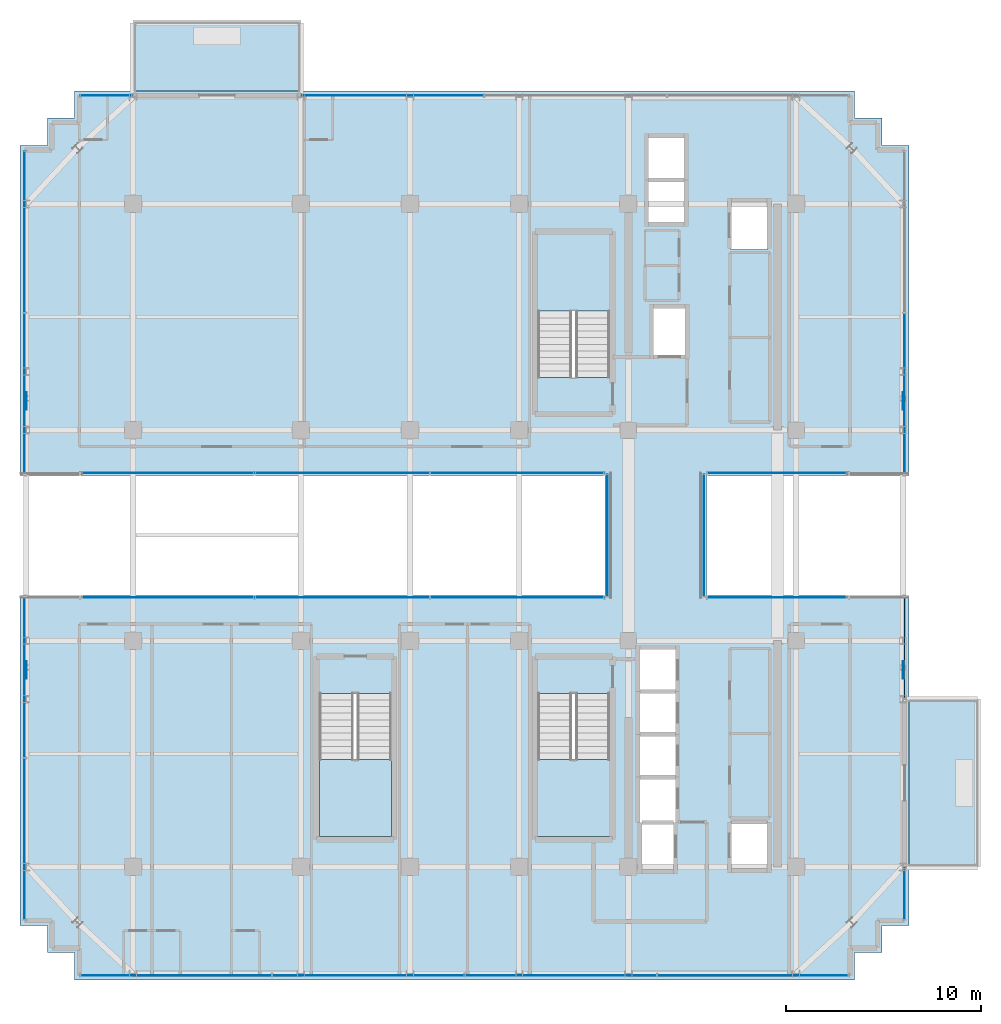
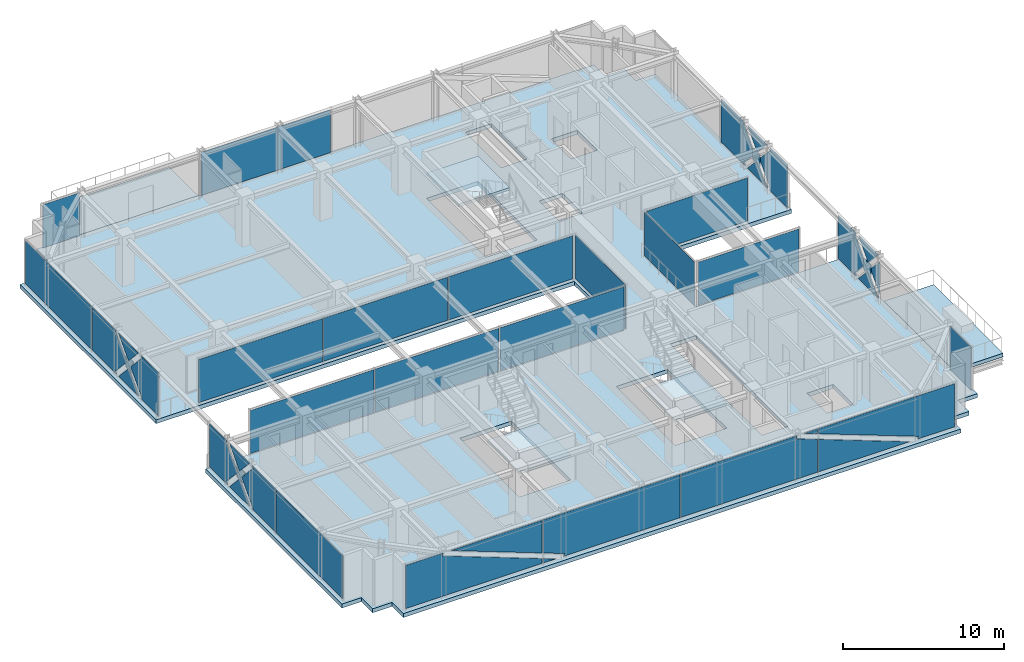
# One storey, part 31 of 39: 27 plates, 6 slabs, 17 elements without a shape of their own.
"""IFC4 building model written with IfcOpenShell, lengths in metres."""

import ifcopenshell
import ifcopenshell.guid

model = None  # the IFC model being written
_history = None  # IfcOwnerHistory: only IFC2X3 demands one
_inside = {}  # id of a spatial element -> (the spatial element, [elements in it])
_under = {}  # id of a project, library or spatial element -> (it, [spatial elements below it])
_declared = {}  # id of a project -> (the project, [libraries it declares])
_typed = {}  # id of a type object -> (the type object, [elements of that type])
_made_of = {}  # id of a material, layer set ... -> (it, [elements and type objects made of it])


def new_model(schema):
    """Start an empty IFC model of exactly this schema.

    Asked for "IFC4X3", IfcOpenShell would pick the latest addendum, in which some entities
    have other attributes; the version numbers below select the first issue.
    IFC2X3 requires an IfcOwnerHistory on every rooted entity: one is made here for all.
    """
    global model, _history
    if schema == "IFC4X3":
        model = ifcopenshell.file(schema_version=(4, 3, 0, 0))
    else:
        model = ifcopenshell.file(schema=schema)
    _inside.clear()
    _under.clear()
    _declared.clear()
    _typed.clear()
    _made_of.clear()
    _history = None
    if model.schema == "IFC2X3":
        org = make("IfcOrganization", Name="unknown")
        user = make(
            "IfcPersonAndOrganization",
            ThePerson=make("IfcPerson", FamilyName="unknown"),
            TheOrganization=org,
        )
        app = make(
            "IfcApplication",
            ApplicationDeveloper=org,
            Version="unknown",
            ApplicationFullName="unknown",
            ApplicationIdentifier="unknown",
        )
        _history = make(
            "IfcOwnerHistory",
            OwningUser=user,
            OwningApplication=app,
            ChangeAction="ADDED",
            CreationDate=0,
        )
    return model


def make(cls, **values):
    """One entity of the class cls with the attributes given. An attribute that is None is left unset."""
    return model.create_entity(
        cls, **{name: value for name, value in values.items() if value is not None}
    )


def rooted(cls, **values):
    """An entity with a GlobalId (a new one), such as an element, a storey or a relation."""
    return make(cls, GlobalId=ifcopenshell.guid.new(), OwnerHistory=_history, **values)


def si_unit(unit_type, name, prefix=None):
    """IfcSIUnit, for example si_unit("LENGTHUNIT", "METRE", prefix="MILLI")."""
    return make("IfcSIUnit", UnitType=unit_type, Prefix=prefix, Name=name)


def assignment(units):
    """IfcUnitAssignment: the units of a project."""
    return None if units is None else make("IfcUnitAssignment", Units=units)


def point(xyz):
    """IfcCartesianPoint."""
    return None if xyz is None else make("IfcCartesianPoint", Coordinates=xyz)


def direction(xyz):
    """IfcDirection."""
    return None if xyz is None else make("IfcDirection", DirectionRatios=xyz)


def frame(location, z_axis=None, x_axis=None):
    """IfcAxis2Placement3D, a coordinate frame: its origin and axes. An axis left out is left unset."""
    return make(
        "IfcAxis2Placement3D",
        Location=point(location),
        Axis=direction(z_axis),
        RefDirection=direction(x_axis),
    )


def frame_2d(location, x_axis=None):
    """IfcAxis2Placement2D, a coordinate frame in the plane: its origin and x axis."""
    return make(
        "IfcAxis2Placement2D", Location=point(location), RefDirection=direction(x_axis)
    )


def origin():
    """The frame at (0, 0, 0) with its axes left unset."""
    return frame((0.0, 0.0, 0.0))


def origin_2d():
    """The frame at (0, 0) in the plane with its x axis left unset."""
    return frame_2d((0.0, 0.0))


def place(relative_to, where):
    """IfcLocalPlacement: puts the frame where relative to a parent placement (None: the world)."""
    return make(
        "IfcLocalPlacement", PlacementRelTo=relative_to, RelativePlacement=where
    )


def context(
    kind, dimensions, precision=None, world=None, true_north=None, identifier=None
):
    """IfcGeometricRepresentationContext, for example the 3D "Model" context."""
    return make(
        "IfcGeometricRepresentationContext",
        ContextIdentifier=identifier,
        ContextType=kind,
        CoordinateSpaceDimension=dimensions,
        Precision=precision,
        WorldCoordinateSystem=world,
        TrueNorth=true_north,
    )


def subcontext(parent, identifier, kind, view, scale=None):
    """IfcGeometricRepresentationSubContext, for example "Body" below "Model"."""
    return make(
        "IfcGeometricRepresentationSubContext",
        ContextIdentifier=identifier,
        ContextType=kind,
        ParentContext=parent,
        TargetScale=scale,
        TargetView=view,
    )


def project(units=None, contexts=None):
    """IfcProject with its units and contexts."""
    return rooted(
        "IfcProject",
        Name="project",
        RepresentationContexts=contexts,
        UnitsInContext=assignment(units),
    )


def spatial(cls, under=None, at=None, **own):
    """A site, building, storey or space (cls), placed at a placement, below another one or the project."""
    s = rooted(cls, ObjectPlacement=at, **own)
    if under is not None:
        _under.setdefault(under.id(), (under, []))[1].append(s)
    return s


def polyline(points):
    """IfcPolyline through the points."""
    return make("IfcPolyline", Points=[point(p) for p in points])


def profile(cls, at=None, kind="AREA", **sizes):
    """A parametric profile (cls). Its sizes go by their IFC names, for example OverallWidth=200.0."""
    return make(cls, ProfileType=kind, Position=at, **sizes)


def rectangle(**sizes):
    """IfcRectangleProfileDef."""
    return profile("IfcRectangleProfileDef", **sizes)


def outline(outer, holes=None, kind="AREA"):
    """IfcArbitraryClosedProfileDef: a profile drawn as a closed curve; with holes, ...WithVoids."""
    if holes is None:
        return make("IfcArbitraryClosedProfileDef", ProfileType=kind, OuterCurve=outer)
    return make(
        "IfcArbitraryProfileDefWithVoids",
        ProfileType=kind,
        OuterCurve=outer,
        InnerCurves=holes,
    )


def extrude(swept, where, along, depth):
    """IfcExtrudedAreaSolid: the profile swept, set in the frame where, extruded along a direction by depth."""
    return make(
        "IfcExtrudedAreaSolid",
        SweptArea=swept,
        Position=where,
        ExtrudedDirection=direction(along),
        Depth=depth,
    )


def shape(context_of_items, identifier, shape_type, items):
    """IfcShapeRepresentation: the items that make up one representation, for example the "Body"."""
    return make(
        "IfcShapeRepresentation",
        ContextOfItems=context_of_items,
        RepresentationIdentifier=identifier,
        RepresentationType=shape_type,
        Items=items,
    )


def source(mapping_origin, context_of_items, identifier, shape_type, items):
    """IfcRepresentationMap: a shape defined once, which mapped items show again and again."""
    return make(
        "IfcRepresentationMap",
        MappingOrigin=mapping_origin,
        MappedRepresentation=shape(context_of_items, identifier, shape_type, items),
    )


def transform(
    local_origin,
    x_axis=None,
    y_axis=None,
    z_axis=None,
    scale=None,
    scale2=None,
    scale3=None,
    uniform=True,
):
    """IfcCartesianTransformationOperator3D, or its non-uniform kind. x_axis, y_axis, z_axis: its Axis1, 2, 3."""
    if uniform:
        return make(
            "IfcCartesianTransformationOperator3D",
            Axis1=direction(x_axis),
            Axis2=direction(y_axis),
            LocalOrigin=point(local_origin),
            Scale=scale,
            Axis3=direction(z_axis),
        )
    return make(
        "IfcCartesianTransformationOperator3DnonUniform",
        Axis1=direction(x_axis),
        Axis2=direction(y_axis),
        LocalOrigin=point(local_origin),
        Scale=scale,
        Axis3=direction(z_axis),
        Scale2=scale2,
        Scale3=scale3,
    )


def mapped(mapping_source, mapping_target):
    """IfcMappedItem: shows the shape of a source again, moved by a transform."""
    return make(
        "IfcMappedItem", MappingSource=mapping_source, MappingTarget=mapping_target
    )


def material(Name=None, Category=None):
    """IfcMaterial."""
    return make("IfcMaterial", Name=Name, Category=Category)


def layer(
    of_material, thickness, ventilated=None, Name=None, Category=None, Priority=None
):
    """IfcMaterialLayer: one layer of a wall or slab, of a material (None: an air gap)."""
    return make(
        "IfcMaterialLayer",
        Material=of_material,
        LayerThickness=thickness,
        IsVentilated=ventilated,
        Name=Name,
        Category=Category,
        Priority=Priority,
    )


def layer_set(layers, Name=None):
    """IfcMaterialLayerSet."""
    return make("IfcMaterialLayerSet", MaterialLayers=layers, LayerSetName=Name)


def made_of(thing, what):
    """Note that an element or type object is made of a material, layer set ...; save() writes the relation."""
    if what is not None:
        _made_of.setdefault(what.id(), (what, []))[1].append(thing)
    return thing


def type_object(cls, material=None, **own):
    """A type object (cls), such as IfcWallType, which elements share."""
    return made_of(rooted(cls, **own), material)


def element(
    cls,
    number,
    at=None,
    inside=None,
    cuts=None,
    type_object=None,
    material=None,
    context=None,
    identifier="Body",
    shape_type=None,
    held_by="IfcProductDefinitionShape",
    body=None,
    shapes=None,
    **own,
):
    """One element of the class cls, such as IfcWall. Its Tag is "e" and its number.

    at: its placement. inside: the storey or other place that contains it. cuts: it is an
    opening in that element (IfcRelVoidsElement). A single representation is given by context,
    identifier, shape_type and body (its items); several are given by shapes. held_by: the class
    of the entity that holds the representations. save() writes the other relations.
    """
    e = rooted(cls, Tag="e%d" % number, ObjectPlacement=at, **own)
    if body is not None:
        shapes = [shape(context, identifier, shape_type, body)]
    if shapes is not None:
        e.Representation = make(held_by, Representations=shapes)
    if inside is not None:
        _inside.setdefault(inside.id(), (inside, []))[1].append(e)
    if cuts is not None:
        rooted(
            "IfcRelVoidsElement", RelatingBuildingElement=cuts, RelatedOpeningElement=e
        )
    if type_object is not None:
        _typed.setdefault(type_object.id(), (type_object, []))[1].append(e)
    return made_of(e, material)


def aggregate(whole, parts):
    """IfcRelAggregates: a whole, such as a stair, and the parts it consists of."""
    return rooted("IfcRelAggregates", RelatingObject=whole, RelatedObjects=parts)


def save(model, path):
    """Write the relations noted so far, then the file.

    IfcRelAggregates (storeys below a building ...), IfcRelContainedInSpatialStructure (elements
    in a storey), IfcRelDefinesByType, IfcRelAssociatesMaterial and IfcRelDeclares: one each for
    every whole, place, type object, material and project.
    """
    for whole, parts in _under.values():
        aggregate(whole, parts)
    for where, things in _inside.values():
        rooted(
            "IfcRelContainedInSpatialStructure",
            RelatedElements=things,
            RelatingStructure=where,
        )
    for kind, things in _typed.values():
        rooted("IfcRelDefinesByType", RelatedObjects=things, RelatingType=kind)
    for what, things in _made_of.values():
        rooted("IfcRelAssociatesMaterial", RelatedObjects=things, RelatingMaterial=what)
    for by, libraries in _declared.values():
        rooted("IfcRelDeclares", RelatingContext=by, RelatedDefinitions=libraries)
    model.write(path)


model = new_model("IFC4")

# Units and contexts
model_context = context("Model", 3, precision=1e-05, world=origin(), true_north=direction((0.0, 1.0)))
body_context = subcontext(model_context, "Body", "Model", "MODEL_VIEW")
ifc_project = project(units=[si_unit("LENGTHUNIT", "METRE"), si_unit("AREAUNIT", "SQUARE_METRE"), si_unit("VOLUMEUNIT", "CUBIC_METRE"), si_unit("PLANEANGLEUNIT", "RADIAN"), si_unit("MASSUNIT", "GRAM", prefix="KILO")], contexts=[model_context])

# Site, building, storey
site_placement = place(None, origin())
site = spatial("IfcSite", under=ifc_project, at=site_placement, CompositionType="ELEMENT")
building_placement = place(site_placement, origin())
building = spatial("IfcBuilding", under=site, at=building_placement, Name="Nahalor Promenade Grand Hotel", CompositionType="ELEMENT")
storey_placement = place(building_placement, frame((0.0, 0.0, 311.89990234375)))
storey = spatial("IfcBuildingStorey", under=building, at=storey_placement, Name="L80", CompositionType="ELEMENT", Elevation=311.89990234375)

# Curtain wall, plates
ifc_material_1 = material(Name="Anodised Bronze Aluminium EN AW-6063 T6", Category="aluminium")
curtain_wall_type_1 = type_object("IfcCurtainWallType", Name="CW3 Elliptical-Void Collar Unitised Curtain Wall", PredefinedType="USERDEFINED", material=ifc_material_1)
curtain_wall_1_placement = place(storey_placement, origin())
curtain_wall_1 = element("IfcCurtainWall", 1, at=curtain_wall_1_placement, inside=storey, type_object=curtain_wall_type_1, Name="L80 Curtain Wall CW-L80-S-1", ObjectType="UNITISED_CURTAIN_WALL", PredefinedType="USERDEFINED")
ifc_material_2 = material(Name="Low-E Laminated Solar Glass", Category="glass")
ifc_layer_1 = layer(ifc_material_2, 0.030029296875)
ifc_layer_set_1 = layer_set([ifc_layer_1], Name="Low-E Laminated Solar Glass")
plate_type_1 = type_object("IfcPlateType", Name="CWP3 High-Wind Laminated Bronze IGU 30mm", PredefinedType="CURTAIN_PANEL", material=ifc_layer_set_1)
plate_1_placement = place(storey_placement, frame((-14.802490234375, -22.56005859375, 0.14013671875), z_axis=(0.0, 0.0, 1.0), x_axis=(1.0, 0.0, 0.0)))
plate_1 = element("IfcPlate", 2, at=plate_1_placement, type_object=plate_type_1, Name="CW-L80-S-1 Glazing Panel 0-0", PredefinedType="CURTAIN_PANEL", context=body_context, shape_type="SweptSolid", body=[
    extrude(outline(polyline([(-4.887451171875, 0.0), (4.887451171875, 0.0), (4.887451171875, 0.36865234375), (-2.29150390625, 3.081787109375), (-2.220458984375, 3.27001953125), (-4.887451171875, 3.27001953125), (-4.887451171875, 0.0)])), frame((0.0, 0.01513671875, 0.0), z_axis=(0.0, -1.0, 0.0), x_axis=(1.0, 0.0, 0.0)), (0.0, 0.0, 1.0), 0.030029296875),
    extrude(outline(polyline([(4.887451171875, 0.79638671875), (4.887451171875, 3.27001953125), (-1.658203125, 3.27001953125), (4.887451171875, 0.79638671875)])), frame((0.0, 0.01513671875, 0.0), z_axis=(0.0, -1.0, 0.0), x_axis=(1.0, 0.0, 0.0)), (0.0, 0.0, 1.0), 0.030029296875),
])
plate_2_placement = place(storey_placement, frame((-4.93994140625, -22.56005859375, 0.14013671875), z_axis=(0.0, 0.0, 1.0), x_axis=(1.0, 0.0, 0.0)))
plate_2 = element("IfcPlate", 3, at=plate_2_placement, type_object=plate_type_1, Name="CW-L80-S-1 Glazing Panel 1-0", PredefinedType="CURTAIN_PANEL", context=body_context, shape_type="SweptSolid", body=[
    extrude(outline(polyline([(4.905029296875, 3.27001953125), (-4.905029296875, 3.27001953125), (-4.905029296875, 0.769775390625), (-3.365966796875, 0.188232421875), (-3.43701171875, 0.0), (4.905029296875, 0.0), (4.905029296875, 3.27001953125)])), frame((0.0, 0.01513671875, 0.0), z_axis=(0.0, -1.0, 0.0), x_axis=(1.0, 0.0, 0.0)), (0.0, 0.0, 1.0), 0.030029296875),
    extrude(outline(polyline([(-4.905029296875, 0.34228515625), (-4.905029296875, 0.0), (-3.999267578125, 0.0), (-4.905029296875, 0.34228515625)])), frame((0.0, 0.01513671875, 0.0), z_axis=(0.0, -1.0, 0.0), x_axis=(1.0, 0.0, 0.0)), (0.0, 0.0, 1.0), 0.030029296875),
])
plate_3_placement = place(storey_placement, frame((4.93994140625, -22.56005859375, 0.14013671875), z_axis=(0.0, 0.0, 1.0), x_axis=(1.0, 0.0, 0.0)))
plate_3 = element("IfcPlate", 4, at=plate_3_placement, type_object=plate_type_1, Name="CW-L80-S-1 Glazing Panel 2-0", PredefinedType="CURTAIN_PANEL", context=body_context, shape_type="SweptSolid", body=[
    extrude(outline(polyline([(-4.905029296875, 0.0), (4.905029296875, 0.0), (4.905029296875, 2.5), (3.365966796875, 3.081787109375), (3.43701171875, 3.27001953125), (-4.905029296875, 3.27001953125), (-4.905029296875, 0.0)])), frame((0.0, 0.01513671875, 0.0), z_axis=(0.0, -1.0, 0.0), x_axis=(1.0, 0.0, 0.0)), (0.0, 0.0, 1.0), 0.030029296875),
    extrude(outline(polyline([(4.905029296875, 2.927734375), (4.905029296875, 3.27001953125), (3.999267578125, 3.27001953125), (4.905029296875, 2.927734375)])), frame((0.0, 0.01513671875, 0.0), z_axis=(0.0, -1.0, 0.0), x_axis=(1.0, 0.0, 0.0)), (0.0, 0.0, 1.0), 0.030029296875),
])
plate_4_placement = place(storey_placement, frame((14.802490234375, -22.56005859375, 0.14013671875), z_axis=(0.0, 0.0, 1.0), x_axis=(1.0, 0.0, 0.0)))
plate_4 = element("IfcPlate", 5, at=plate_4_placement, type_object=plate_type_1, Name="CW-L80-S-1 Glazing Panel 3-0", PredefinedType="CURTAIN_PANEL", context=body_context, shape_type="SweptSolid", body=[
    extrude(outline(polyline([(4.887451171875, 3.27001953125), (-4.887451171875, 3.27001953125), (-4.887451171875, 2.9013671875), (2.29150390625, 0.188232421875), (2.220458984375, 0.0), (4.887451171875, 0.0), (4.887451171875, 3.27001953125)])), frame((0.0, 0.01513671875, 0.0), z_axis=(0.0, -1.0, 0.0), x_axis=(1.0, 0.0, 0.0)), (0.0, 0.0, 1.0), 0.030029296875),
    extrude(outline(polyline([(-4.887451171875, 2.4736328125), (-4.887451171875, 0.0), (1.658203125, 0.0), (-4.887451171875, 2.4736328125)])), frame((0.0, 0.01513671875, 0.0), z_axis=(0.0, -1.0, 0.0), x_axis=(1.0, 0.0, 0.0)), (0.0, 0.0, 1.0), 0.030029296875),
])
aggregate(curtain_wall_1, [plate_1, plate_2, plate_3, plate_4])

# Curtain wall, plate
curtain_wall_2_placement = place(storey_placement, origin())
curtain_wall_2 = element("IfcCurtainWall", 6, at=curtain_wall_2_placement, inside=storey, type_object=curtain_wall_type_1, Name="L80 Curtain Wall CW-L80-W-1", ObjectType="UNITISED_CURTAIN_WALL", PredefinedType="USERDEFINED")
plate_5_placement = place(storey_placement, frame((-22.56005859375, -7.2607421875, 0.14013671875), z_axis=(0.0, 0.0, 1.0), x_axis=(0.0, 1.0, 0.0)))
plate_5 = element("IfcPlate", 7, at=plate_5_placement, type_object=plate_type_1, Name="CW-L80-W-1 Glazing Panel 1-0", PredefinedType="CURTAIN_PANEL", context=body_context, shape_type="SweptSolid", body=[
    extrude(outline(polyline([(-4.11962890625, 3.27001953125), (-4.11962890625, 0.0), (-1.165283203125, 0.0), (-1.30322265625, 0.127197265625), (0.088623046875, 1.635009765625), (-1.30322265625, 3.142822265625), (-1.165283203125, 3.27001953125), (-4.11962890625, 3.27001953125)])), frame((0.0, 0.01513671875, 0.0), z_axis=(0.0, -1.0, 0.0), x_axis=(1.0, 0.0, 0.0)), (0.0, 0.0, 1.0), 0.030029296875),
    extrude(outline(polyline([(0.36083984375, 1.340087890625), (-0.876220703125, 0.0), (1.597900390625, 0.0), (0.36083984375, 1.340087890625)])), frame((0.0, 0.01513671875, 0.0), z_axis=(0.0, -1.0, 0.0), x_axis=(1.0, 0.0, 0.0)), (0.0, 0.0, 1.0), 0.030029296875),
    extrude(outline(polyline([(0.36083984375, 1.929931640625), (1.597900390625, 3.27001953125), (-0.876220703125, 3.27001953125), (0.36083984375, 1.929931640625)])), frame((0.0, 0.01513671875, 0.0), z_axis=(0.0, -1.0, 0.0), x_axis=(1.0, 0.0, 0.0)), (0.0, 0.0, 1.0), 0.030029296875),
    extrude(outline(polyline([(4.11962890625, 0.0), (4.11962890625, 3.27001953125), (1.88671875, 3.27001953125), (2.024658203125, 3.142822265625), (0.6328125, 1.635009765625), (2.024658203125, 0.127197265625), (1.88671875, 0.0), (4.11962890625, 0.0)])), frame((0.0, 0.01513671875, 0.0), z_axis=(0.0, -1.0, 0.0), x_axis=(1.0, 0.0, 0.0)), (0.0, 0.0, 1.0), 0.030029296875),
])

curtain_wall_3_placement = place(storey_placement, origin())
curtain_wall_3 = element("IfcCurtainWall", 8, at=curtain_wall_3_placement, inside=storey, type_object=curtain_wall_type_1, Name="L80 Curtain Wall CW-L80-W-2", ObjectType="UNITISED_CURTAIN_WALL", PredefinedType="USERDEFINED")
plate_6_placement = place(storey_placement, frame((-22.56005859375, 7.2607421875, 0.14013671875), z_axis=(0.0, 0.0, 1.0), x_axis=(0.0, 1.0, 0.0)))
plate_6 = element("IfcPlate", 9, at=plate_6_placement, type_object=plate_type_1, Name="CW-L80-W-2 Glazing Panel 0-0", PredefinedType="CURTAIN_PANEL", context=body_context, shape_type="SweptSolid", body=[
    extrude(outline(polyline([(-4.11962890625, 3.27001953125), (-4.11962890625, 0.0), (-1.88671875, 0.0), (-2.024658203125, 0.127197265625), (-0.6328125, 1.635009765625), (-2.024658203125, 3.142822265625), (-1.88671875, 3.27001953125), (-4.11962890625, 3.27001953125)])), frame((0.0, 0.01513671875, 0.0), z_axis=(0.0, -1.0, 0.0), x_axis=(1.0, 0.0, 0.0)), (0.0, 0.0, 1.0), 0.030029296875),
    extrude(outline(polyline([(-0.36083984375, 1.340087890625), (-1.597900390625, 0.0), (0.876220703125, 0.0), (-0.36083984375, 1.340087890625)])), frame((0.0, 0.01513671875, 0.0), z_axis=(0.0, -1.0, 0.0), x_axis=(1.0, 0.0, 0.0)), (0.0, 0.0, 1.0), 0.030029296875),
    extrude(outline(polyline([(-0.36083984375, 1.929931640625), (0.876220703125, 3.27001953125), (-1.597900390625, 3.27001953125), (-0.36083984375, 1.929931640625)])), frame((0.0, 0.01513671875, 0.0), z_axis=(0.0, -1.0, 0.0), x_axis=(1.0, 0.0, 0.0)), (0.0, 0.0, 1.0), 0.030029296875),
    extrude(outline(polyline([(4.11962890625, 0.0), (4.11962890625, 3.27001953125), (1.165283203125, 3.27001953125), (1.30322265625, 3.142822265625), (-0.088623046875, 1.635009765625), (1.30322265625, 0.127197265625), (1.165283203125, 0.0), (4.11962890625, 0.0)])), frame((0.0, 0.01513671875, 0.0), z_axis=(0.0, -1.0, 0.0), x_axis=(1.0, 0.0, 0.0)), (0.0, 0.0, 1.0), 0.030029296875),
])

curtain_wall_4_placement = place(storey_placement, origin())
curtain_wall_4 = element("IfcCurtainWall", 10, at=curtain_wall_4_placement, inside=storey, type_object=curtain_wall_type_1, Name="L80 Curtain Wall CW-L80-E-3", ObjectType="UNITISED_CURTAIN_WALL", PredefinedType="USERDEFINED")
plate_7_placement = place(storey_placement, frame((22.56005859375, -5.735595703125, 0.14013671875), z_axis=(0.0, 0.0, 1.0), x_axis=(0.0, 1.0, 0.0)))
plate_7 = element("IfcPlate", 11, at=plate_7_placement, type_object=plate_type_1, Name="CW-L80-E-3 Glazing Panel 0-0", PredefinedType="CURTAIN_PANEL", context=body_context, shape_type="SweptSolid", body=[
    extrude(outline(polyline([(-1.436767578125, 1.635009765625), (-2.594482421875, 2.889404296875), (-2.594482421875, 0.380615234375), (-1.436767578125, 1.635009765625)])), frame((0.0, 0.01513671875, 0.0), z_axis=(0.0, -1.0, 0.0), x_axis=(1.0, 0.0, 0.0)), (0.0, 0.0, 1.0), 0.030029296875),
    extrude(outline(polyline([(-1.16455078125, 1.340087890625), (-2.401611328125, 0.0), (0.072509765625, 0.0), (-1.16455078125, 1.340087890625)])), frame((0.0, 0.01513671875, 0.0), z_axis=(0.0, -1.0, 0.0), x_axis=(1.0, 0.0, 0.0)), (0.0, 0.0, 1.0), 0.030029296875),
    extrude(outline(polyline([(-1.16455078125, 1.929931640625), (0.072509765625, 3.27001953125), (-2.401611328125, 3.27001953125), (-1.16455078125, 1.929931640625)])), frame((0.0, 0.01513671875, 0.0), z_axis=(0.0, -1.0, 0.0), x_axis=(1.0, 0.0, 0.0)), (0.0, 0.0, 1.0), 0.030029296875),
    extrude(outline(polyline([(2.594482421875, 0.0), (2.594482421875, 3.27001953125), (0.361572265625, 3.27001953125), (0.49951171875, 3.142822265625), (-0.892333984375, 1.635009765625), (0.49951171875, 0.127197265625), (0.361572265625, 0.0), (2.594482421875, 0.0)])), frame((0.0, 0.01513671875, 0.0), z_axis=(0.0, -1.0, 0.0), x_axis=(1.0, 0.0, 0.0)), (0.0, 0.0, 1.0), 0.030029296875),
])
aggregate(curtain_wall_4, [plate_7])

curtain_wall_5_placement = place(storey_placement, origin())
curtain_wall_5 = element("IfcCurtainWall", 12, at=curtain_wall_5_placement, inside=storey, type_object=curtain_wall_type_1, Name="L80 Curtain Wall CW-L80-E-4", ObjectType="UNITISED_CURTAIN_WALL", PredefinedType="USERDEFINED")
plate_8_placement = place(storey_placement, frame((22.56005859375, 7.2607421875, 0.14013671875), z_axis=(0.0, 0.0, 1.0), x_axis=(0.0, 1.0, 0.0)))
plate_8 = element("IfcPlate", 13, at=plate_8_placement, type_object=plate_type_1, Name="CW-L80-E-4 Glazing Panel 0-0", PredefinedType="CURTAIN_PANEL", context=body_context, shape_type="SweptSolid", body=[
    extrude(outline(polyline([(-4.11962890625, 3.27001953125), (-4.11962890625, 0.0), (-1.88671875, 0.0), (-2.024658203125, 0.127197265625), (-0.6328125, 1.635009765625), (-2.024658203125, 3.142822265625), (-1.88671875, 3.27001953125), (-4.11962890625, 3.27001953125)])), frame((0.0, 0.01513671875, 0.0), z_axis=(0.0, -1.0, 0.0), x_axis=(1.0, 0.0, 0.0)), (0.0, 0.0, 1.0), 0.030029296875),
    extrude(outline(polyline([(-0.36083984375, 1.340087890625), (-1.597900390625, 0.0), (0.876220703125, 0.0), (-0.36083984375, 1.340087890625)])), frame((0.0, 0.01513671875, 0.0), z_axis=(0.0, -1.0, 0.0), x_axis=(1.0, 0.0, 0.0)), (0.0, 0.0, 1.0), 0.030029296875),
    extrude(outline(polyline([(-0.36083984375, 1.929931640625), (0.876220703125, 3.27001953125), (-1.597900390625, 3.27001953125), (-0.36083984375, 1.929931640625)])), frame((0.0, 0.01513671875, 0.0), z_axis=(0.0, -1.0, 0.0), x_axis=(1.0, 0.0, 0.0)), (0.0, 0.0, 1.0), 0.030029296875),
    extrude(outline(polyline([(4.11962890625, 0.0), (4.11962890625, 3.27001953125), (1.165283203125, 3.27001953125), (1.30322265625, 3.142822265625), (-0.088623046875, 1.635009765625), (1.30322265625, 0.127197265625), (1.165283203125, 0.0), (4.11962890625, 0.0)])), frame((0.0, 0.01513671875, 0.0), z_axis=(0.0, -1.0, 0.0), x_axis=(1.0, 0.0, 0.0)), (0.0, 0.0, 1.0), 0.030029296875),
])
aggregate(curtain_wall_5, [plate_8])

# Stair, slab
ifc_material_3 = material(Name="Concrete B-50 (C40/50)", Category="concrete")
stair_type_1 = type_object("IfcStairType", Name="Stair-ST1", PredefinedType="HALF_TURN_STAIR", material=ifc_material_3)
stair_1_placement = place(storey_placement, origin())
stair_1 = element("IfcStair", 14, at=stair_1_placement, inside=storey, type_object=stair_type_1, Name="L80 ST1", PredefinedType="HALF_TURN_STAIR")
ifc_layer_2 = layer(ifc_material_3, 0.199951171875)
ifc_layer_set_2 = layer_set([ifc_layer_2], Name="Concrete B-50 (C40/50)")
slab_type_1 = type_object("IfcSlabType", Name="Landing-ST1", PredefinedType="LANDING", material=ifc_layer_set_2)
slab_1_placement = place(storey_placement, frame((0.0, 0.0, 1.72509765625)))
slab_1 = element("IfcSlab", 15, at=slab_1_placement, type_object=slab_type_1, Name="ST1 landing 1", PredefinedType="LANDING", context=body_context, shape_type="SweptSolid", body=[
    extrude(outline(polyline([(7.449951171875, 11.5), (7.449951171875, 15.449951171875), (3.75, 15.449951171875), (3.75, 11.5), (7.449951171875, 11.5)])), origin(), (0.0, 0.0, 1.0), 0.199951171875),
])
aggregate(stair_1, [slab_1])

stair_type_2 = type_object("IfcStairType", Name="Stair-ST2", PredefinedType="HALF_TURN_STAIR", material=ifc_material_3)
stair_2_placement = place(storey_placement, origin())
stair_2 = element("IfcStair", 16, at=stair_2_placement, inside=storey, type_object=stair_type_2, Name="L80 ST2", PredefinedType="HALF_TURN_STAIR")
ifc_layer_3 = layer(ifc_material_3, 0.2099609375)
ifc_layer_set_3 = layer_set([ifc_layer_3], Name="Concrete B-50 (C40/50)")
slab_type_2 = type_object("IfcSlabType", Name="Landing-ST2", PredefinedType="LANDING", material=ifc_layer_set_3)
slab_2_placement = place(storey_placement, frame((0.0, 0.0, 1.715087890625)))
slab_2 = element("IfcSlab", 17, at=slab_2_placement, type_object=slab_type_2, Name="ST2 landing 1", PredefinedType="LANDING", context=body_context, shape_type="SweptSolid", body=[
    extrude(outline(polyline([(3.75, -11.5), (3.75, -15.449951171875), (7.449951171875, -15.449951171875), (7.449951171875, -11.5), (3.75, -11.5)])), origin(), (0.0, 0.0, 1.0), 0.2099609375),
])
aggregate(stair_2, [slab_2])

stair_type_3 = type_object("IfcStairType", Name="Stair-ST3", PredefinedType="HALF_TURN_STAIR", material=ifc_material_3)
stair_3_placement = place(storey_placement, origin())
stair_3 = element("IfcStair", 18, at=stair_3_placement, inside=storey, type_object=stair_type_3, Name="L80 ST3", PredefinedType="HALF_TURN_STAIR")
ifc_layer_4 = layer(ifc_material_3, 0.219970703125)
ifc_layer_set_4 = layer_set([ifc_layer_4], Name="Concrete B-50 (C40/50)")
slab_type_3 = type_object("IfcSlabType", Name="Landing-ST3", PredefinedType="LANDING", material=ifc_layer_set_4)
slab_3_placement = place(storey_placement, frame((0.0, 0.0, 1.705078125)))
slab_3 = element("IfcSlab", 19, at=slab_3_placement, type_object=slab_type_3, Name="ST3 landing 1", PredefinedType="LANDING", context=body_context, shape_type="SweptSolid", body=[
    extrude(outline(polyline([(-7.449951171875, -11.5), (-7.449951171875, -15.449951171875), (-3.75, -15.449951171875), (-3.75, -11.5), (-7.449951171875, -11.5)])), origin(), (0.0, 0.0, 1.0), 0.219970703125),
])
aggregate(stair_3, [slab_3])

# Slabs
ifc_layer_5 = layer(ifc_material_3, 0.280029296875)
ifc_layer_set_5 = layer_set([ifc_layer_5], Name="Concrete B-50 (C40/50)")
slab_type_4 = type_object("IfcSlabType", Name="Slab-Balcony-280", PredefinedType="FLOOR", material=ifc_layer_set_5)
slab_4_placement = place(storey_placement, frame((0.0, 0.0, -0.27978515625)))
element("IfcSlab", 20, at=slab_4_placement, inside=storey, type_object=slab_type_4, Name="L80 Cantilevered Planted Balcony 1", PredefinedType="FLOOR", context=body_context, shape_type="SweptSolid", body=[
    extrude(outline(polyline([(-17.0, 22.800048828125), (-8.39990234375, 22.800048828125), (-8.39990234375, 26.360107421875), (-17.0, 26.360107421875), (-17.0, 22.800048828125)])), origin(), (0.0, 0.0, 1.0), 0.27978515625),
])
slab_5_placement = place(storey_placement, frame((0.0, 0.0, -0.27978515625)))
element("IfcSlab", 21, at=slab_5_placement, inside=storey, type_object=slab_type_4, Name="L80 Cantilevered Planted Balcony 2", PredefinedType="FLOOR", context=body_context, shape_type="SweptSolid", body=[
    extrude(outline(polyline([(22.800048828125, -17.0), (26.3798828125, -17.0), (26.3798828125, -8.39990234375), (22.800048828125, -8.39990234375), (22.800048828125, -17.0)])), origin(), (0.0, 0.0, 1.0), 0.27978515625),
])
ifc_layer_6 = layer(ifc_material_3, 0.300048828125)
ifc_layer_set_6 = layer_set([ifc_layer_6], Name="Concrete B-50 (C40/50)")
slab_type_5 = type_object("IfcSlabType", Name="Slab-TowerZ5-300", PredefinedType="FLOOR", material=ifc_layer_set_6)
slab_6_placement = place(storey_placement, frame((0.0, 0.0, -0.2998046875)))
element("IfcSlab", 22, at=slab_6_placement, inside=storey, type_object=slab_type_5, Name="L80 Suspended Structural Floor Slab", PredefinedType="FLOOR", context=body_context, shape_type="SweptSolid", body=[
    extrude(outline(polyline([(-20.0, -22.800048828125), (20.0, -22.800048828125), (20.0, -21.39990234375), (21.39990234375, -21.39990234375), (21.39990234375, -20.0), (22.800048828125, -20.0), (22.800048828125, -3.071044921875), (12.39990234375, -3.071044921875), (12.39990234375, 3.071044921875), (22.800048828125, 3.071044921875), (22.800048828125, 20.0), (21.39990234375, 20.0), (21.39990234375, 21.39990234375), (20.0, 21.39990234375), (20.0, 22.800048828125), (-20.0, 22.800048828125), (-20.0, 21.39990234375), (-21.39990234375, 21.39990234375), (-21.39990234375, 20.0), (-22.800048828125, 20.0), (-22.800048828125, 3.071044921875), (7.199951171875, 3.071044921875), (7.199951171875, -3.071044921875), (-22.800048828125, -3.071044921875), (-22.800048828125, -20.0), (-21.39990234375, -20.0), (-21.39990234375, -21.39990234375), (-20.0, -21.39990234375), (-20.0, -22.800048828125)]), holes=[polyline([(3.75, 8.10009765625), (7.449951171875, 8.10009765625), (7.449951171875, 15.449951171875), (3.75, 15.449951171875), (3.75, 8.10009765625)]), polyline([(3.75, -15.449951171875), (7.449951171875, -15.449951171875), (7.449951171875, -8.10009765625), (3.75, -8.10009765625), (3.75, -15.449951171875)]), polyline([(-7.449951171875, -15.449951171875), (-3.75, -15.449951171875), (-3.75, -8.10009765625), (-7.449951171875, -8.10009765625), (-7.449951171875, -15.449951171875)]), polyline([(8.9599609375, -17.18994140625), (10.840087890625, -17.18994140625), (10.840087890625, -5.81005859375), (8.9599609375, -5.81005859375), (8.9599609375, -17.18994140625)]), polyline([(9.409912109375, 16.010009765625), (11.2900390625, 16.010009765625), (11.2900390625, 20.43994140625), (9.409912109375, 20.43994140625), (9.409912109375, 16.010009765625)]), polyline([(9.659912109375, 9.2099609375), (11.340087890625, 9.2099609375), (11.340087890625, 11.68994140625), (9.659912109375, 11.68994140625), (9.659912109375, 9.2099609375)]), polyline([(13.659912109375, 14.659912109375), (15.5400390625, 14.659912109375), (15.5400390625, 17.139892578125), (13.659912109375, 17.139892578125), (13.659912109375, 14.659912109375)]), polyline([(13.659912109375, -17.139892578125), (15.5400390625, -17.139892578125), (15.5400390625, -14.659912109375), (13.659912109375, -14.659912109375), (13.659912109375, -17.139892578125)])]), origin(), (0.0, 0.0, 1.0), 0.2998046875),
])

# Plates
ifc_material_4 = material(Name="Steel S355J2", Category="steel")
ifc_layer_7 = layer(ifc_material_4, 0.035888671875)
ifc_layer_set_7 = layer_set([ifc_layer_7], Name="Steel S355J2")
plate_type_2 = type_object("IfcPlateType", Name="Plate-CrossGusset-36", PredefinedType="USERDEFINED", material=ifc_layer_set_7)
shared_shape_1 = source(origin(), body_context, "Body", "SweptSolid", [
    extrude(rectangle(XDim=0.89990234375, YDim=0.035888671875, at=origin_2d()), origin(), (0.0, 0.0, 1.0), 0.89990234375),
])
for number, where, z_axis, x_axis, name in (
    (23, (-22.47998046875, -6.89990234375, 1.3251953125), (0.0, 0.0, 1.0), (0.0, 1.0, 0.0), "PL-L80-VXX-W0"),
    (24, (-22.47998046875, 6.89990234375, 1.3251953125), (0.0, 0.0, 1.0), (0.0, 1.0, 0.0), "PL-L80-VXX-W1"),
    (25, (22.47998046875, -6.89990234375, 1.3251953125), (0.0, 0.0, 1.0), (0.0, 1.0, 0.0), "PL-L80-VXX-E0"),
    (26, (22.47998046875, 6.89990234375, 1.3251953125), (0.0, 0.0, 1.0), (0.0, 1.0, 0.0), "PL-L80-VXX-E1"),
):
    element("IfcPlate", number, at=place(storey_placement, frame(where, z_axis=z_axis, x_axis=x_axis)), inside=storey, type_object=plate_type_2, Name=name, ObjectType="GUSSET_PLATE", PredefinedType="USERDEFINED", context=body_context, shape_type="MappedRepresentation", body=[
        mapped(shared_shape_1, transform((0.0, 0.0, 0.0), scale=1.0)),
    ])

# Curtain wall, plate
curtain_wall_6_placement = place(storey_placement, origin())
curtain_wall_6 = element("IfcCurtainWall", 27, at=curtain_wall_6_placement, inside=storey, type_object=curtain_wall_type_1, Name="L80 Curtain Wall CW-L80-N-1", ObjectType="UNITISED_CURTAIN_WALL", PredefinedType="USERDEFINED")
shared_shape_2 = source(origin(), body_context, "Body", "SweptSolid", [
    extrude(rectangle(XDim=2.6201171875, YDim=0.030029296875, at=origin_2d()), origin(), (0.0, 0.0, 1.0), 3.27001953125),
])
plate_9_placement = place(storey_placement, frame((-18.3798828125, 22.56005859375, 0.14013671875), z_axis=(0.0, 0.0, 1.0), x_axis=(1.0, 0.0, 0.0)))
plate_9 = element("IfcPlate", 28, at=plate_9_placement, type_object=plate_type_1, Name="CW-L80-N-1 Glazing Panel 0-0", PredefinedType="CURTAIN_PANEL", context=body_context, shape_type="MappedRepresentation", body=[
    mapped(shared_shape_2, transform((0.0, 0.0, 0.0), scale=1.0)),
])
aggregate(curtain_wall_6, [plate_9])

curtain_wall_7_placement = place(storey_placement, origin())
curtain_wall_7 = element("IfcCurtainWall", 29, at=curtain_wall_7_placement, inside=storey, type_object=curtain_wall_type_1, Name="L80 Curtain Wall CW-L80-E-1", ObjectType="UNITISED_CURTAIN_WALL", PredefinedType="USERDEFINED")
plate_10_placement = place(storey_placement, frame((22.56005859375, -18.3798828125, 0.14013671875), z_axis=(0.0, 0.0, 1.0), x_axis=(0.0, 1.0, 0.0)))
plate_10 = element("IfcPlate", 30, at=plate_10_placement, type_object=plate_type_1, Name="CW-L80-E-1 Glazing Panel 0-0", PredefinedType="CURTAIN_PANEL", context=body_context, shape_type="MappedRepresentation", body=[
    mapped(shared_shape_2, transform((0.0, 0.0, 0.0), scale=1.0)),
])
aggregate(curtain_wall_7, [plate_10])

curtain_wall_8_placement = place(storey_placement, origin())
curtain_wall_8 = element("IfcCurtainWall", 31, at=curtain_wall_8_placement, inside=storey, type_object=curtain_wall_type_1, Name="L80 Curtain Wall CW-L80-N-3", ObjectType="UNITISED_CURTAIN_WALL", PredefinedType="USERDEFINED")
shared_shape_3 = source(origin(), body_context, "Body", "SweptSolid", [
    extrude(rectangle(XDim=9.28173828125, YDim=0.030029296875, at=origin_2d()), origin(), (0.0, 0.0, 1.0), 3.27001953125),
])
plate_11_placement = place(storey_placement, frame((-3.689208984375, 22.56005859375, 0.14013671875), z_axis=(0.0, 0.0, 1.0), x_axis=(1.0, 0.0, 0.0)))
plate_11 = element("IfcPlate", 32, at=plate_11_placement, type_object=plate_type_1, Name="CW-L80-N-3 Glazing Panel 0-0", PredefinedType="CURTAIN_PANEL", context=body_context, shape_type="MappedRepresentation", body=[
    mapped(shared_shape_3, transform((0.0, 0.0, 0.0), scale=1.0)),
])
aggregate(curtain_wall_8, [plate_11])

# Plate
shared_shape_4 = source(origin(), body_context, "Body", "SweptSolid", [
    extrude(rectangle(XDim=8.239501953125, YDim=0.030029296875, at=origin_2d()), origin(), (0.0, 0.0, 1.0), 3.27001953125),
])
plate_12_placement = place(storey_placement, frame((-22.56005859375, -15.5703125, 0.14013671875), z_axis=(0.0, 0.0, 1.0), x_axis=(0.0, 1.0, 0.0)))
plate_12 = element("IfcPlate", 33, at=plate_12_placement, type_object=plate_type_1, Name="CW-L80-W-1 Glazing Panel 0-0", PredefinedType="CURTAIN_PANEL", context=body_context, shape_type="MappedRepresentation", body=[
    mapped(shared_shape_4, transform((0.0, 0.0, 0.0), scale=1.0)),
])

aggregate(curtain_wall_2, [plate_12, plate_5])

plate_13_placement = place(storey_placement, frame((-22.56005859375, 15.5703125, 0.14013671875), z_axis=(0.0, 0.0, 1.0), x_axis=(0.0, 1.0, 0.0)))
plate_13 = element("IfcPlate", 34, at=plate_13_placement, type_object=plate_type_1, Name="CW-L80-W-2 Glazing Panel 1-0", PredefinedType="CURTAIN_PANEL", context=body_context, shape_type="MappedRepresentation", body=[
    mapped(shared_shape_4, transform((0.0, 0.0, 0.0), scale=1.0)),
])

aggregate(curtain_wall_3, [plate_6, plate_13])

# Curtain wall, plates
curtain_wall_9_placement = place(storey_placement, origin())
curtain_wall_9 = element("IfcCurtainWall", 35, at=curtain_wall_9_placement, inside=storey, type_object=curtain_wall_type_1, Name="L80 Curtain Wall CW-L80-VOID-WS1", ObjectType="UNITISED_CURTAIN_WALL", PredefinedType="USERDEFINED")
shared_shape_5 = source(origin(), body_context, "Body", "SweptSolid", [
    extrude(rectangle(XDim=8.881591796875, YDim=0.030029296875, at=origin_2d()), origin(), (0.0, 0.0, 1.0), 3.27001953125),
])
plate_14_placement = place(storey_placement, frame((-15.249267578125, -3.19091796875, 0.14013671875), z_axis=(0.0, 0.0, 1.0), x_axis=(1.0, 0.0, 0.0)))
plate_14 = element("IfcPlate", 36, at=plate_14_placement, type_object=plate_type_1, Name="CW-L80-VOID-WS1 Glazing Panel 0-0", PredefinedType="CURTAIN_PANEL", context=body_context, shape_type="MappedRepresentation", body=[
    mapped(shared_shape_5, transform((0.0, 0.0, 0.0), scale=1.0)),
])
plate_15_placement = place(storey_placement, frame((2.689208984375, -3.19091796875, 0.14013671875), z_axis=(0.0, 0.0, 1.0), x_axis=(1.0, 0.0, 0.0)))
plate_15 = element("IfcPlate", 37, at=plate_15_placement, type_object=plate_type_1, Name="CW-L80-VOID-WS1 Glazing Panel 2-0", PredefinedType="CURTAIN_PANEL", context=body_context, shape_type="MappedRepresentation", body=[
    mapped(shared_shape_5, transform((0.0, 0.0, 0.0), scale=1.0)),
])

curtain_wall_10_placement = place(storey_placement, origin())
curtain_wall_10 = element("IfcCurtainWall", 38, at=curtain_wall_10_placement, inside=storey, type_object=curtain_wall_type_1, Name="L80 Curtain Wall CW-L80-VOID-WN1", ObjectType="UNITISED_CURTAIN_WALL", PredefinedType="USERDEFINED")
plate_16_placement = place(storey_placement, frame((-15.249267578125, 3.19091796875, 0.14013671875), z_axis=(0.0, 0.0, 1.0), x_axis=(1.0, 0.0, 0.0)))
plate_16 = element("IfcPlate", 39, at=plate_16_placement, type_object=plate_type_1, Name="CW-L80-VOID-WN1 Glazing Panel 0-0", PredefinedType="CURTAIN_PANEL", context=body_context, shape_type="MappedRepresentation", body=[
    mapped(shared_shape_5, transform((0.0, 0.0, 0.0), scale=1.0)),
])
plate_17_placement = place(storey_placement, frame((2.689208984375, 3.19091796875, 0.14013671875), z_axis=(0.0, 0.0, 1.0), x_axis=(1.0, 0.0, 0.0)))
plate_17 = element("IfcPlate", 40, at=plate_17_placement, type_object=plate_type_1, Name="CW-L80-VOID-WN1 Glazing Panel 2-0", PredefinedType="CURTAIN_PANEL", context=body_context, shape_type="MappedRepresentation", body=[
    mapped(shared_shape_5, transform((0.0, 0.0, 0.0), scale=1.0)),
])

# Plate
shared_shape_6 = source(origin(), body_context, "Body", "SweptSolid", [
    extrude(rectangle(XDim=8.916748046875, YDim=0.030029296875, at=origin_2d()), origin(), (0.0, 0.0, 1.0), 3.27001953125),
])
plate_18_placement = place(storey_placement, frame((-6.280029296875, -3.19091796875, 0.14013671875), z_axis=(0.0, 0.0, 1.0), x_axis=(1.0, 0.0, 0.0)))
plate_18 = element("IfcPlate", 41, at=plate_18_placement, type_object=plate_type_1, Name="CW-L80-VOID-WS1 Glazing Panel 1-0", PredefinedType="CURTAIN_PANEL", context=body_context, shape_type="MappedRepresentation", body=[
    mapped(shared_shape_6, transform((0.0, 0.0, 0.0), scale=1.0)),
])

aggregate(curtain_wall_9, [plate_14, plate_18, plate_15])

plate_19_placement = place(storey_placement, frame((-6.280029296875, 3.19091796875, 0.14013671875), z_axis=(0.0, 0.0, 1.0), x_axis=(1.0, 0.0, 0.0)))
plate_19 = element("IfcPlate", 42, at=plate_19_placement, type_object=plate_type_1, Name="CW-L80-VOID-WN1 Glazing Panel 1-0", PredefinedType="CURTAIN_PANEL", context=body_context, shape_type="MappedRepresentation", body=[
    mapped(shared_shape_6, transform((0.0, 0.0, 0.0), scale=1.0)),
])

aggregate(curtain_wall_10, [plate_16, plate_19, plate_17])

# Curtain wall, plate
curtain_wall_11_placement = place(storey_placement, origin())
curtain_wall_11 = element("IfcCurtainWall", 43, at=curtain_wall_11_placement, inside=storey, type_object=curtain_wall_type_1, Name="L80 Curtain Wall CW-L80-VOID-ES1", ObjectType="UNITISED_CURTAIN_WALL", PredefinedType="USERDEFINED")
shared_shape_7 = source(origin(), body_context, "Body", "SweptSolid", [
    extrude(rectangle(XDim=7.219970703125, YDim=0.030029296875, at=origin_2d()), origin(), (0.0, 0.0, 1.0), 3.27001953125),
])
plate_20_placement = place(storey_placement, frame((16.080078125, -3.19091796875, 0.14013671875), z_axis=(0.0, 0.0, 1.0), x_axis=(1.0, 0.0, 0.0)))
plate_20 = element("IfcPlate", 44, at=plate_20_placement, type_object=plate_type_1, Name="CW-L80-VOID-ES1 Glazing Panel 0-0", PredefinedType="CURTAIN_PANEL", context=body_context, shape_type="MappedRepresentation", body=[
    mapped(shared_shape_7, transform((0.0, 0.0, 0.0), scale=1.0)),
])
aggregate(curtain_wall_11, [plate_20])

curtain_wall_12_placement = place(storey_placement, origin())
curtain_wall_12 = element("IfcCurtainWall", 45, at=curtain_wall_12_placement, inside=storey, type_object=curtain_wall_type_1, Name="L80 Curtain Wall CW-L80-VOID-EN1", ObjectType="UNITISED_CURTAIN_WALL", PredefinedType="USERDEFINED")
plate_21_placement = place(storey_placement, frame((16.080078125, 3.19091796875, 0.14013671875), z_axis=(0.0, 0.0, 1.0), x_axis=(1.0, 0.0, 0.0)))
plate_21 = element("IfcPlate", 46, at=plate_21_placement, type_object=plate_type_1, Name="CW-L80-VOID-EN1 Glazing Panel 0-0", PredefinedType="CURTAIN_PANEL", context=body_context, shape_type="MappedRepresentation", body=[
    mapped(shared_shape_7, transform((0.0, 0.0, 0.0), scale=1.0)),
])
aggregate(curtain_wall_12, [plate_21])

curtain_wall_type_2 = type_object("IfcCurtainWallType", Name="CW4 Low-Iron Sky-Gallery Bridge Curtain Wall", PredefinedType="USERDEFINED", material=ifc_material_1)
curtain_wall_13_placement = place(storey_placement, origin())
curtain_wall_13 = element("IfcCurtainWall", 47, at=curtain_wall_13_placement, inside=storey, type_object=curtain_wall_type_2, Name="L80 Curtain Wall CW-L80-BRG-W", ObjectType="UNITISED_CURTAIN_WALL", PredefinedType="USERDEFINED")
ifc_layer_8 = layer(ifc_material_2, 0.02587890625)
ifc_layer_set_8 = layer_set([ifc_layer_8], Name="Low-E Laminated Solar Glass")
plate_type_3 = type_object("IfcPlateType", Name="CWP4 Ultra-Clear Low-Iron Bridge IGU 26mm", PredefinedType="CURTAIN_PANEL", material=ifc_layer_set_8)
shared_shape_8 = source(origin(), body_context, "Body", "SweptSolid", [
    extrude(rectangle(XDim=6.261962890625, YDim=0.02587890625, at=origin_2d()), origin(), (0.0, 0.0, 1.0), 3.31005859375),
])
plate_22_placement = place(storey_placement, frame((7.320068359375, 0.0, 0.1201171875), z_axis=(0.0, 0.0, 1.0), x_axis=(0.0, 1.0, 0.0)))
plate_22 = element("IfcPlate", 48, at=plate_22_placement, type_object=plate_type_3, Name="CW-L80-BRG-W Glazing Panel 0-0", PredefinedType="CURTAIN_PANEL", context=body_context, shape_type="MappedRepresentation", body=[
    mapped(shared_shape_8, transform((0.0, 0.0, 0.0), scale=1.0)),
])
aggregate(curtain_wall_13, [plate_22])

curtain_wall_14_placement = place(storey_placement, origin())
curtain_wall_14 = element("IfcCurtainWall", 49, at=curtain_wall_14_placement, inside=storey, type_object=curtain_wall_type_2, Name="L80 Curtain Wall CW-L80-BRG-E", ObjectType="UNITISED_CURTAIN_WALL", PredefinedType="USERDEFINED")
plate_23_placement = place(storey_placement, frame((12.280029296875, 0.0, 0.1201171875), z_axis=(0.0, 0.0, 1.0), x_axis=(0.0, 1.0, 0.0)))
plate_23 = element("IfcPlate", 50, at=plate_23_placement, type_object=plate_type_3, Name="CW-L80-BRG-E Glazing Panel 0-0", PredefinedType="CURTAIN_PANEL", context=body_context, shape_type="MappedRepresentation", body=[
    mapped(shared_shape_8, transform((0.0, 0.0, 0.0), scale=1.0)),
])
aggregate(curtain_wall_14, [plate_23])

save(model, "model.ifc")
